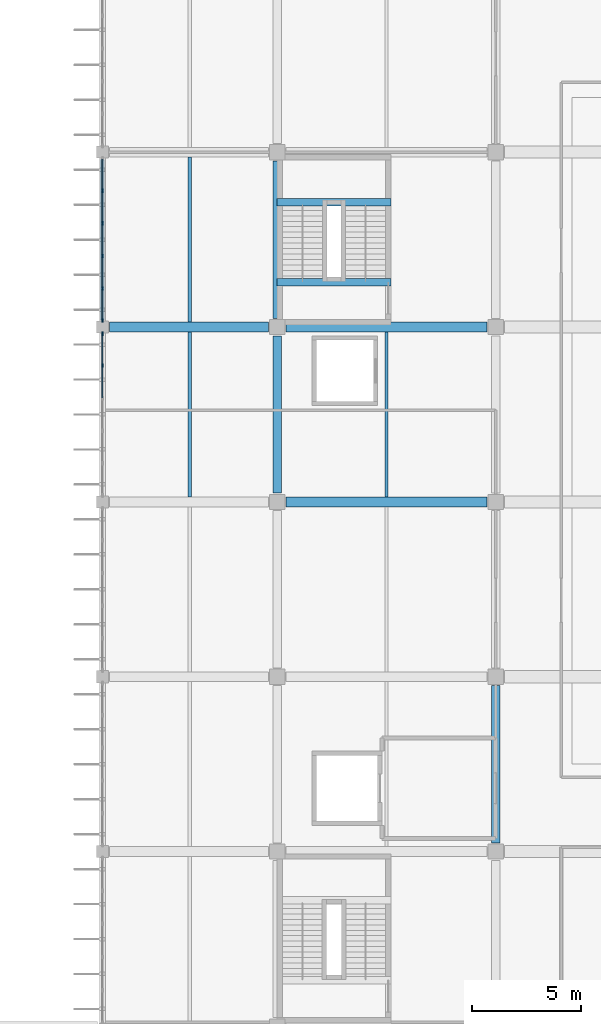
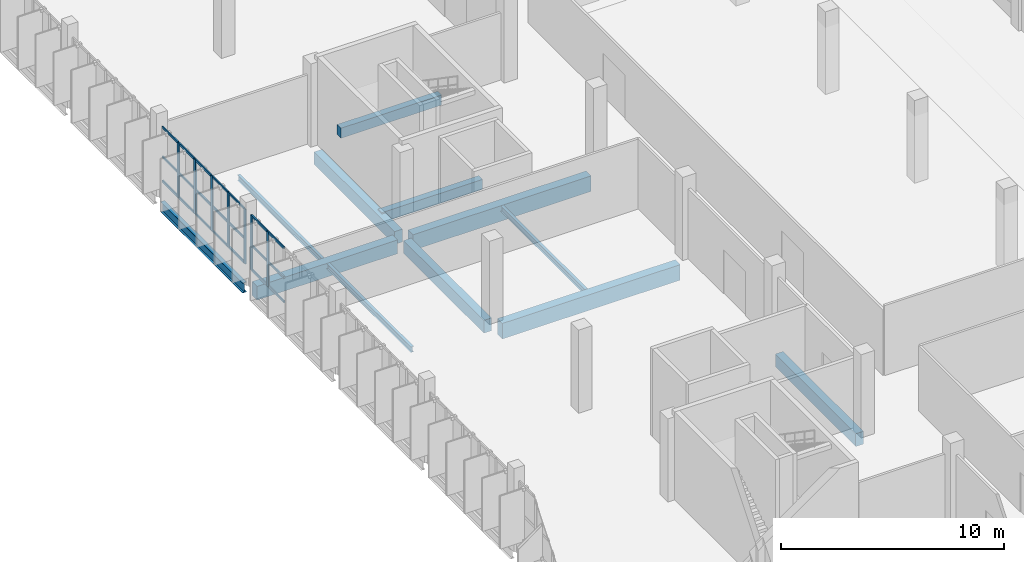
# One storey, part 44 of 93: 28 members, 12 beams, 2 elements without a shape of their own.
"""IFC4 building model written with IfcOpenShell, lengths in metres."""

from ifc_helpers import new_model, si_unit, direction, frame, origin, origin_2d, place, context, subcontext, project, spatial, rectangle, i_section, extrude, material, layer, layer_set, material_profile, profile_set, type_object, element, aggregate, save


model = new_model("IFC4")

# Units and contexts
model_context = context("Model", 3, precision=1e-05, world=origin(), true_north=direction((0.0, 1.0)))
body_context = subcontext(model_context, "Body", "Model", "MODEL_VIEW")
ifc_project = project(units=[si_unit("LENGTHUNIT", "METRE"), si_unit("AREAUNIT", "SQUARE_METRE"), si_unit("VOLUMEUNIT", "CUBIC_METRE"), si_unit("PLANEANGLEUNIT", "RADIAN"), si_unit("MASSUNIT", "GRAM", prefix="KILO")], contexts=[model_context])

# Site, building, storey
site_placement = place(None, origin())
site = spatial("IfcSite", under=ifc_project, at=site_placement, CompositionType="ELEMENT")
building_placement = place(site_placement, origin())
building = spatial("IfcBuilding", under=site, at=building_placement, Name="Drelvana Railside Aquatics Centre", CompositionType="ELEMENT")
storey_placement = place(building_placement, frame((0.0, 0.0, 5.39990234375)))
storey = spatial("IfcBuildingStorey", under=building, at=storey_placement, Name="L01", CompositionType="ELEMENT", Elevation=5.39990234375)

# Curtain wall, members
ifc_material_1 = material(Name="Bronze-anodised aluminium curtain wall", Category="aluminium")
ifc_layer = layer(ifc_material_1, 0.175048828125, Name="Bronze-anodised aluminium curtain wall")
ifc_layer_set = layer_set([ifc_layer], Name="Bronze-anodised aluminium curtain wall")
curtain_wall_type = type_object("IfcCurtainWallType", Name="CW-Z6-WING", PredefinedType="NOTDEFINED", material=ifc_layer_set)
curtain_wall_1_placement = place(storey_placement, origin())
curtain_wall_1 = element("IfcCurtainWall", 1, at=curtain_wall_1_placement, inside=storey, type_object=curtain_wall_type, Name="Curtain wall CW-06-149", PredefinedType="NOTDEFINED")
ifc_material_2 = material(Name="Bronze-anodised aluminium 6063-T6", Category="aluminium")
ifc_material_profile_1 = material_profile(ifc_material_2, rectangle(XDim=0.06494140625, YDim=0.175048828125, at=origin_2d()), Name="ALU-M 65x175")
ifc_profile_set_1 = profile_set([ifc_material_profile_1], Name="Bronze-anodised aluminium 6063-T6")
member_type_1 = type_object("IfcMemberType", Name="CW-Z6-WING-MUL", PredefinedType="MULLION", material=ifc_profile_set_1)
member_1_placement = place(storey_placement, frame((144.0, 54.238525390625, 0.794189453125), z_axis=(0.0, 0.0, 1.0), x_axis=(-1.0, 0.0, 0.0)))
member_1 = element("IfcMember", 2, at=member_1_placement, type_object=member_type_1, Name="CW-06 mullion 5", PredefinedType="MULLION", context=body_context, shape_type="SweptSolid", body=[
    extrude(rectangle(XDim=0.06494140625, YDim=0.175048828125, at=origin_2d()), origin(), (0.0, 0.0, 1.0), 3.005859375),
])
member_2_placement = place(storey_placement, frame((144.0, 55.698486328125, 0.794189453125), z_axis=(0.0, 0.0, 1.0), x_axis=(-1.0, 0.0, 0.0)))
member_2 = element("IfcMember", 3, at=member_2_placement, type_object=member_type_1, Name="CW-06 mullion 6", PredefinedType="MULLION", context=body_context, shape_type="SweptSolid", body=[
    extrude(rectangle(XDim=0.06494140625, YDim=0.175048828125, at=origin_2d()), origin(), (0.0, 0.0, 1.0), 3.005859375),
])

curtain_wall_2_placement = place(storey_placement, origin())
curtain_wall_2 = element("IfcCurtainWall", 4, at=curtain_wall_2_placement, inside=storey, type_object=curtain_wall_type, Name="Curtain wall CW-06-152", PredefinedType="NOTDEFINED")
member_3_placement = place(storey_placement, frame((144.0, 56.301513671875, 0.794189453125), z_axis=(0.0, 0.0, 1.0), x_axis=(-1.0, 0.0, 0.0)))
member_3 = element("IfcMember", 5, at=member_3_placement, type_object=member_type_1, Name="CW-06 mullion 1", PredefinedType="MULLION", context=body_context, shape_type="SweptSolid", body=[
    extrude(rectangle(XDim=0.06494140625, YDim=0.175048828125, at=origin_2d()), origin(), (0.0, 0.0, 1.0), 3.005859375),
])
member_4_placement = place(storey_placement, frame((144.0, 57.761474609375, 0.794189453125), z_axis=(0.0, 0.0, 1.0), x_axis=(-1.0, 0.0, 0.0)))
member_4 = element("IfcMember", 6, at=member_4_placement, type_object=member_type_1, Name="CW-06 mullion 2", PredefinedType="MULLION", context=body_context, shape_type="SweptSolid", body=[
    extrude(rectangle(XDim=0.06494140625, YDim=0.175048828125, at=origin_2d()), origin(), (0.0, 0.0, 1.0), 3.005859375),
])
member_5_placement = place(storey_placement, frame((144.0, 59.25390625, 0.794189453125), z_axis=(0.0, 0.0, 1.0), x_axis=(-1.0, 0.0, 0.0)))
member_5 = element("IfcMember", 7, at=member_5_placement, type_object=member_type_1, Name="CW-06 mullion 3", PredefinedType="MULLION", context=body_context, shape_type="SweptSolid", body=[
    extrude(rectangle(XDim=0.06494140625, YDim=0.175048828125, at=origin_2d()), origin(), (0.0, 0.0, 1.0), 3.005859375),
])
member_6_placement = place(storey_placement, frame((144.0, 60.74609375, 0.794189453125), z_axis=(0.0, 0.0, 1.0), x_axis=(-1.0, 0.0, 0.0)))
member_6 = element("IfcMember", 8, at=member_6_placement, type_object=member_type_1, Name="CW-06 mullion 4", PredefinedType="MULLION", context=body_context, shape_type="SweptSolid", body=[
    extrude(rectangle(XDim=0.06494140625, YDim=0.175048828125, at=origin_2d()), origin(), (0.0, 0.0, 1.0), 3.005859375),
])
member_7_placement = place(storey_placement, frame((144.0, 62.238525390625, 0.794189453125), z_axis=(0.0, 0.0, 1.0), x_axis=(-1.0, 0.0, 0.0)))
member_7 = element("IfcMember", 9, at=member_7_placement, type_object=member_type_1, Name="CW-06 mullion 5", PredefinedType="MULLION", context=body_context, shape_type="SweptSolid", body=[
    extrude(rectangle(XDim=0.06494140625, YDim=0.175048828125, at=origin_2d()), origin(), (0.0, 0.0, 1.0), 3.005859375),
])

# Member
ifc_material_profile_2 = material_profile(ifc_material_2, rectangle(XDim=0.1201171875, YDim=0.06005859375, at=origin_2d()), Name="ALU-T 60x120")
ifc_profile_set_2 = profile_set([ifc_material_profile_2], Name="Bronze-anodised aluminium 6063-T6")
member_type_2 = type_object("IfcMemberType", Name="CW-Z6-WING-TRN", PredefinedType="USERDEFINED", material=ifc_profile_set_2)
member_8_placement = place(storey_placement, frame((144.0, 52.773681640625, 0.82421875), z_axis=(0.0, 1.0, 0.0), x_axis=(0.0, 0.0, 1.0)))
member_8 = element("IfcMember", 10, at=member_8_placement, type_object=member_type_2, Name="CW-06 transom 4.1", ObjectType="TRANSOM", PredefinedType="USERDEFINED", context=body_context, shape_type="SweptSolid", body=[
    extrude(rectangle(XDim=0.1201171875, YDim=0.06005859375, at=origin_2d()), origin(), (0.0, 0.0, 1.0), 1.4375),
])

member_9_placement = place(storey_placement, frame((144.0, 52.773681640625, 2.147216796875), z_axis=(0.0, 1.0, 0.0), x_axis=(0.0, 0.0, 1.0)))
member_9 = element("IfcMember", 11, at=member_9_placement, type_object=member_type_2, Name="CW-06 transom 4.2", ObjectType="TRANSOM", PredefinedType="USERDEFINED", context=body_context, shape_type="SweptSolid", body=[
    extrude(rectangle(XDim=0.1201171875, YDim=0.06005859375, at=origin_2d()), origin(), (0.0, 0.0, 1.0), 1.4375),
])

member_10_placement = place(storey_placement, frame((144.0, 52.773681640625, 3.77001953125), z_axis=(0.0, 1.0, 0.0), x_axis=(0.0, 0.0, 1.0)))
member_10 = element("IfcMember", 12, at=member_10_placement, type_object=member_type_2, Name="CW-06 transom 4.3", ObjectType="TRANSOM", PredefinedType="USERDEFINED", context=body_context, shape_type="SweptSolid", body=[
    extrude(rectangle(XDim=0.1201171875, YDim=0.06005859375, at=origin_2d()), origin(), (0.0, 0.0, 1.0), 1.4375),
])

member_11_placement = place(storey_placement, frame((144.0, 54.26611328125, 0.82421875), z_axis=(0.0, 1.0, 0.0), x_axis=(0.0, 0.0, 1.0)))
member_11 = element("IfcMember", 13, at=member_11_placement, type_object=member_type_2, Name="CW-06 transom 5.1", ObjectType="TRANSOM", PredefinedType="USERDEFINED", context=body_context, shape_type="SweptSolid", body=[
    extrude(rectangle(XDim=0.1201171875, YDim=0.06005859375, at=origin_2d()), origin(), (0.0, 0.0, 1.0), 1.40478515625),
])

member_12_placement = place(storey_placement, frame((144.0, 54.26611328125, 2.147216796875), z_axis=(0.0, 1.0, 0.0), x_axis=(0.0, 0.0, 1.0)))
member_12 = element("IfcMember", 14, at=member_12_placement, type_object=member_type_2, Name="CW-06 transom 5.2", ObjectType="TRANSOM", PredefinedType="USERDEFINED", context=body_context, shape_type="SweptSolid", body=[
    extrude(rectangle(XDim=0.1201171875, YDim=0.06005859375, at=origin_2d()), origin(), (0.0, 0.0, 1.0), 1.40478515625),
])

member_13_placement = place(storey_placement, frame((144.0, 54.26611328125, 3.77001953125), z_axis=(0.0, 1.0, 0.0), x_axis=(0.0, 0.0, 1.0)))
member_13 = element("IfcMember", 15, at=member_13_placement, type_object=member_type_2, Name="CW-06 transom 5.3", ObjectType="TRANSOM", PredefinedType="USERDEFINED", context=body_context, shape_type="SweptSolid", body=[
    extrude(rectangle(XDim=0.1201171875, YDim=0.06005859375, at=origin_2d()), origin(), (0.0, 0.0, 1.0), 1.40478515625),
])

aggregate(curtain_wall_1, [member_1, member_2, member_8, member_9, member_10, member_11, member_12, member_13])

member_14_placement = place(storey_placement, frame((144.0, 56.3291015625, 0.82421875), z_axis=(0.0, 1.0, 0.0), x_axis=(0.0, 0.0, 1.0)))
member_14 = element("IfcMember", 16, at=member_14_placement, type_object=member_type_2, Name="CW-06 transom 1.1", ObjectType="TRANSOM", PredefinedType="USERDEFINED", context=body_context, shape_type="SweptSolid", body=[
    extrude(rectangle(XDim=0.1201171875, YDim=0.06005859375, at=origin_2d()), origin(), (0.0, 0.0, 1.0), 1.40478515625),
])

member_15_placement = place(storey_placement, frame((144.0, 56.3291015625, 2.147216796875), z_axis=(0.0, 1.0, 0.0), x_axis=(0.0, 0.0, 1.0)))
member_15 = element("IfcMember", 17, at=member_15_placement, type_object=member_type_2, Name="CW-06 transom 1.2", ObjectType="TRANSOM", PredefinedType="USERDEFINED", context=body_context, shape_type="SweptSolid", body=[
    extrude(rectangle(XDim=0.1201171875, YDim=0.06005859375, at=origin_2d()), origin(), (0.0, 0.0, 1.0), 1.40478515625),
])

member_16_placement = place(storey_placement, frame((144.0, 56.3291015625, 3.77001953125), z_axis=(0.0, 1.0, 0.0), x_axis=(0.0, 0.0, 1.0)))
member_16 = element("IfcMember", 18, at=member_16_placement, type_object=member_type_2, Name="CW-06 transom 1.3", ObjectType="TRANSOM", PredefinedType="USERDEFINED", context=body_context, shape_type="SweptSolid", body=[
    extrude(rectangle(XDim=0.1201171875, YDim=0.06005859375, at=origin_2d()), origin(), (0.0, 0.0, 1.0), 1.40478515625),
])

member_17_placement = place(storey_placement, frame((144.0, 57.788818359375, 0.82421875), z_axis=(0.0, 1.0, 0.0), x_axis=(0.0, 0.0, 1.0)))
member_17 = element("IfcMember", 19, at=member_17_placement, type_object=member_type_2, Name="CW-06 transom 2.1", ObjectType="TRANSOM", PredefinedType="USERDEFINED", context=body_context, shape_type="SweptSolid", body=[
    extrude(rectangle(XDim=0.1201171875, YDim=0.06005859375, at=origin_2d()), origin(), (0.0, 0.0, 1.0), 1.4375),
])

member_18_placement = place(storey_placement, frame((144.0, 57.788818359375, 2.147216796875), z_axis=(0.0, 1.0, 0.0), x_axis=(0.0, 0.0, 1.0)))
member_18 = element("IfcMember", 20, at=member_18_placement, type_object=member_type_2, Name="CW-06 transom 2.2", ObjectType="TRANSOM", PredefinedType="USERDEFINED", context=body_context, shape_type="SweptSolid", body=[
    extrude(rectangle(XDim=0.1201171875, YDim=0.06005859375, at=origin_2d()), origin(), (0.0, 0.0, 1.0), 1.4375),
])

member_19_placement = place(storey_placement, frame((144.0, 57.788818359375, 3.77001953125), z_axis=(0.0, 1.0, 0.0), x_axis=(0.0, 0.0, 1.0)))
member_19 = element("IfcMember", 21, at=member_19_placement, type_object=member_type_2, Name="CW-06 transom 2.3", ObjectType="TRANSOM", PredefinedType="USERDEFINED", context=body_context, shape_type="SweptSolid", body=[
    extrude(rectangle(XDim=0.1201171875, YDim=0.06005859375, at=origin_2d()), origin(), (0.0, 0.0, 1.0), 1.4375),
])

member_20_placement = place(storey_placement, frame((144.0, 59.28125, 0.82421875), z_axis=(0.0, 1.0, 0.0), x_axis=(0.0, 0.0, 1.0)))
member_20 = element("IfcMember", 22, at=member_20_placement, type_object=member_type_2, Name="CW-06 transom 3.1", ObjectType="TRANSOM", PredefinedType="USERDEFINED", context=body_context, shape_type="SweptSolid", body=[
    extrude(rectangle(XDim=0.1201171875, YDim=0.06005859375, at=origin_2d()), origin(), (0.0, 0.0, 1.0), 1.4375),
])

member_21_placement = place(storey_placement, frame((144.0, 59.28125, 2.147216796875), z_axis=(0.0, 1.0, 0.0), x_axis=(0.0, 0.0, 1.0)))
member_21 = element("IfcMember", 23, at=member_21_placement, type_object=member_type_2, Name="CW-06 transom 3.2", ObjectType="TRANSOM", PredefinedType="USERDEFINED", context=body_context, shape_type="SweptSolid", body=[
    extrude(rectangle(XDim=0.1201171875, YDim=0.06005859375, at=origin_2d()), origin(), (0.0, 0.0, 1.0), 1.4375),
])

member_22_placement = place(storey_placement, frame((144.0, 59.28125, 3.77001953125), z_axis=(0.0, 1.0, 0.0), x_axis=(0.0, 0.0, 1.0)))
member_22 = element("IfcMember", 24, at=member_22_placement, type_object=member_type_2, Name="CW-06 transom 3.3", ObjectType="TRANSOM", PredefinedType="USERDEFINED", context=body_context, shape_type="SweptSolid", body=[
    extrude(rectangle(XDim=0.1201171875, YDim=0.06005859375, at=origin_2d()), origin(), (0.0, 0.0, 1.0), 1.4375),
])

member_23_placement = place(storey_placement, frame((144.0, 60.773681640625, 0.82421875), z_axis=(0.0, 1.0, 0.0), x_axis=(0.0, 0.0, 1.0)))
member_23 = element("IfcMember", 25, at=member_23_placement, type_object=member_type_2, Name="CW-06 transom 4.1", ObjectType="TRANSOM", PredefinedType="USERDEFINED", context=body_context, shape_type="SweptSolid", body=[
    extrude(rectangle(XDim=0.1201171875, YDim=0.06005859375, at=origin_2d()), origin(), (0.0, 0.0, 1.0), 1.4375),
])

member_24_placement = place(storey_placement, frame((144.0, 60.773681640625, 2.147216796875), z_axis=(0.0, 1.0, 0.0), x_axis=(0.0, 0.0, 1.0)))
member_24 = element("IfcMember", 26, at=member_24_placement, type_object=member_type_2, Name="CW-06 transom 4.2", ObjectType="TRANSOM", PredefinedType="USERDEFINED", context=body_context, shape_type="SweptSolid", body=[
    extrude(rectangle(XDim=0.1201171875, YDim=0.06005859375, at=origin_2d()), origin(), (0.0, 0.0, 1.0), 1.4375),
])

member_25_placement = place(storey_placement, frame((144.0, 60.773681640625, 3.77001953125), z_axis=(0.0, 1.0, 0.0), x_axis=(0.0, 0.0, 1.0)))
member_25 = element("IfcMember", 27, at=member_25_placement, type_object=member_type_2, Name="CW-06 transom 4.3", ObjectType="TRANSOM", PredefinedType="USERDEFINED", context=body_context, shape_type="SweptSolid", body=[
    extrude(rectangle(XDim=0.1201171875, YDim=0.06005859375, at=origin_2d()), origin(), (0.0, 0.0, 1.0), 1.4375),
])

member_26_placement = place(storey_placement, frame((144.0, 62.26611328125, 0.82421875), z_axis=(0.0, 1.0, 0.0), x_axis=(0.0, 0.0, 1.0)))
member_26 = element("IfcMember", 28, at=member_26_placement, type_object=member_type_2, Name="CW-06 transom 5.1", ObjectType="TRANSOM", PredefinedType="USERDEFINED", context=body_context, shape_type="SweptSolid", body=[
    extrude(rectangle(XDim=0.1201171875, YDim=0.06005859375, at=origin_2d()), origin(), (0.0, 0.0, 1.0), 1.40478515625),
])

member_27_placement = place(storey_placement, frame((144.0, 62.26611328125, 2.147216796875), z_axis=(0.0, 1.0, 0.0), x_axis=(0.0, 0.0, 1.0)))
member_27 = element("IfcMember", 29, at=member_27_placement, type_object=member_type_2, Name="CW-06 transom 5.2", ObjectType="TRANSOM", PredefinedType="USERDEFINED", context=body_context, shape_type="SweptSolid", body=[
    extrude(rectangle(XDim=0.1201171875, YDim=0.06005859375, at=origin_2d()), origin(), (0.0, 0.0, 1.0), 1.40478515625),
])

member_28_placement = place(storey_placement, frame((144.0, 62.26611328125, 3.77001953125), z_axis=(0.0, 1.0, 0.0), x_axis=(0.0, 0.0, 1.0)))
member_28 = element("IfcMember", 30, at=member_28_placement, type_object=member_type_2, Name="CW-06 transom 5.3", ObjectType="TRANSOM", PredefinedType="USERDEFINED", context=body_context, shape_type="SweptSolid", body=[
    extrude(rectangle(XDim=0.1201171875, YDim=0.06005859375, at=origin_2d()), origin(), (0.0, 0.0, 1.0), 1.40478515625),
])

aggregate(curtain_wall_2, [member_3, member_4, member_5, member_6, member_7, member_14, member_15, member_16, member_17, member_18, member_19, member_20, member_21, member_22, member_23, member_24, member_25, member_26, member_27, member_28])

# Beams
ifc_material_3 = material(Name="Concrete C40/50", Category="concrete")
ifc_material_profile_3 = material_profile(ifc_material_3, rectangle(XDim=0.35009765625, YDim=0.550048828125, at=origin_2d()), Name="RC 350x550")
ifc_profile_set_3 = profile_set([ifc_material_profile_3], Name="Concrete C40/50")
beam_type_1 = type_object("IfcBeamType", Name="STR-BM-BM-01-RC-350x550", PredefinedType="BEAM", material=ifc_profile_set_3)
for number, where, z_axis, x_axis, name in (
    (31, (152.0, 58.050048828125, -0.474853515625), (1.0, 0.0, 0.0), (0.0, 1.0, 0.0), "Stair ST-08 L01 landing beam"),
    (32, (152.0, 61.7099609375, 1.925048828125), (1.0, 0.0, 0.0), (0.0, 1.0, 0.0), "Stair ST-08 L01 mid-landing beam"),
):
    element("IfcBeam", number, at=place(storey_placement, frame(where, z_axis=z_axis, x_axis=x_axis)), inside=storey, type_object=beam_type_1, Name=name, PredefinedType="BEAM", context=body_context, shape_type="SweptSolid", body=[
        extrude(rectangle(XDim=0.35009765625, YDim=0.550048828125, at=origin_2d()), origin(), (0.0, 0.0, 1.0), 5.199951171875),
    ])
ifc_material_profile_4 = material_profile(ifc_material_3, rectangle(XDim=0.39990234375, YDim=0.699951171875, at=origin_2d()), Name="RC 400x700")
ifc_profile_set_4 = profile_set([ifc_material_profile_4], Name="Concrete C40/50")
beam_type_2 = type_object("IfcBeamType", Name="STR-BM-BM-03-RC-400x700", PredefinedType="BEAM", material=ifc_profile_set_4)
for number, where, z_axis, x_axis, name in (
    (33, (152.0, 48.39990234375, -0.625), (0.0, 1.0, 0.0), (-1.0, 0.0, 0.0), "Girder BM-03 (L01)"),
    (34, (152.0, 56.39990234375, -0.625), (0.0, 1.0, 0.0), (-1.0, 0.0, 0.0), "Girder BM-03 (L01)"),
    (35, (162.0, 32.39990234375, -0.625), (0.0, 1.0, 0.0), (-1.0, 0.0, 0.0), "Girder BM-03 (L01)"),
):
    element("IfcBeam", number, at=place(storey_placement, frame(where, z_axis=z_axis, x_axis=x_axis)), inside=storey, type_object=beam_type_2, Name=name, PredefinedType="BEAM", context=body_context, shape_type="SweptSolid", body=[
        extrude(rectangle(XDim=0.39990234375, YDim=0.699951171875, at=origin_2d()), origin(), (0.0, 0.0, 1.0), 7.2001953125),
    ])
ifc_material_profile_5 = material_profile(ifc_material_3, rectangle(XDim=0.449951171875, YDim=0.75, at=origin_2d()), Name="RC 450x750")
ifc_profile_set_5 = profile_set([ifc_material_profile_5], Name="Concrete C40/50")
beam_type_3 = type_object("IfcBeamType", Name="STR-BM-BM-04-RC-450x750", PredefinedType="BEAM", material=ifc_profile_set_5)
beam_1_placement = place(storey_placement, frame((144.324951171875, 56.0, -0.64990234375), z_axis=(1.0, 0.0, 0.0), x_axis=(0.0, 1.0, 0.0)))
element("IfcBeam", 36, at=beam_1_placement, inside=storey, type_object=beam_type_3, Name="Girder BM-04 (L01)", PredefinedType="BEAM", context=body_context, shape_type="SweptSolid", body=[
    extrude(rectangle(XDim=0.449951171875, YDim=0.75, at=origin_2d()), origin(), (0.0, 0.0, 1.0), 7.275146484375),
])
ifc_material_profile_6 = material_profile(ifc_material_3, rectangle(XDim=0.449951171875, YDim=0.85009765625, at=origin_2d()), Name="RC 450x850")
ifc_profile_set_6 = profile_set([ifc_material_profile_6], Name="Concrete C40/50")
beam_type_4 = type_object("IfcBeamType", Name="STR-BM-BM-05-RC-450x850", PredefinedType="BEAM", material=ifc_profile_set_6)
for number, where, z_axis, x_axis, name in (
    (37, (152.39990234375, 48.0, -0.699951171875), (1.0, 0.0, 0.0), (0.0, 1.0, 0.0), "Girder BM-05 (L01)"),
    (38, (152.39990234375, 56.0, -0.699951171875), (1.0, 0.0, 0.0), (0.0, 1.0, 0.0), "Girder BM-05 (L01)"),
):
    element("IfcBeam", number, at=place(storey_placement, frame(where, z_axis=z_axis, x_axis=x_axis)), inside=storey, type_object=beam_type_4, Name=name, PredefinedType="BEAM", context=body_context, shape_type="SweptSolid", body=[
        extrude(rectangle(XDim=0.449951171875, YDim=0.85009765625, at=origin_2d()), origin(), (0.0, 0.0, 1.0), 9.2001953125),
    ])
ifc_material_4 = material(Name="Structural steel S355", Category="steel")
ifc_material_profile_7 = material_profile(ifc_material_4, i_section(OverallWidth=0.2099609375, OverallDepth=0.550048828125, WebThickness=0.010986328125, FlangeThickness=0.01708984375, at=origin_2d()), Name="IPE 550")
ifc_profile_set_7 = profile_set([ifc_material_profile_7], Name="Structural steel S355")
beam_type_5 = type_object("IfcBeamType", Name="STR-SBM-SB-04-IPE-550", PredefinedType="SPANDREL", material=ifc_profile_set_7)
beam_2_placement = place(storey_placement, frame((144.0, 56.324951171875, -0.5498046875), z_axis=(0.0, 1.0, 0.0), x_axis=(-1.0, 0.0, 0.0)))
element("IfcBeam", 39, at=beam_2_placement, inside=storey, type_object=beam_type_5, Name="Girder SB-04 (L01)", PredefinedType="SPANDREL", context=body_context, shape_type="SweptSolid", body=[
    extrude(i_section(OverallWidth=0.2099609375, OverallDepth=0.550048828125, WebThickness=0.010986328125, FlangeThickness=0.01708984375, at=origin_2d()), origin(), (0.0, 0.0, 1.0), 7.35009765625),
])
ifc_material_profile_8 = material_profile(ifc_material_4, i_section(OverallWidth=0.14990234375, OverallDepth=0.300048828125, WebThickness=0.007080078125, FlangeThickness=0.0107421875, at=origin_2d()), Name="IPE 300")
ifc_profile_set_8 = profile_set([ifc_material_profile_8], Name="Structural steel S355")
beam_type_6 = type_object("IfcBeamType", Name="STR-SBM-SJ-03-IPE-300", PredefinedType="JOIST", material=ifc_profile_set_8)
for number, where, z_axis, x_axis, name in (
    (40, (148.0, 48.22509765625, -0.4248046875), (0.0, 1.0, 0.0), (-1.0, 0.0, 0.0), "Secondary floor joist SJ-03 (L01)"),
    (41, (148.0, 56.22509765625, -0.4248046875), (0.0, 1.0, 0.0), (-1.0, 0.0, 0.0), "Secondary floor joist SJ-03 (L01)"),
    (42, (157.0, 48.22509765625, -0.4248046875), (0.0, 1.0, 0.0), (-1.0, 0.0, 0.0), "Secondary floor joist SJ-03 (L01)"),
):
    element("IfcBeam", number, at=place(storey_placement, frame(where, z_axis=z_axis, x_axis=x_axis)), inside=storey, type_object=beam_type_6, Name=name, PredefinedType="JOIST", context=body_context, shape_type="SweptSolid", body=[
        extrude(i_section(OverallWidth=0.14990234375, OverallDepth=0.300048828125, WebThickness=0.007080078125, FlangeThickness=0.0107421875, at=origin_2d()), origin(), (0.0, 0.0, 1.0), 7.5498046875),
    ])

save(model, "model.ifc")
